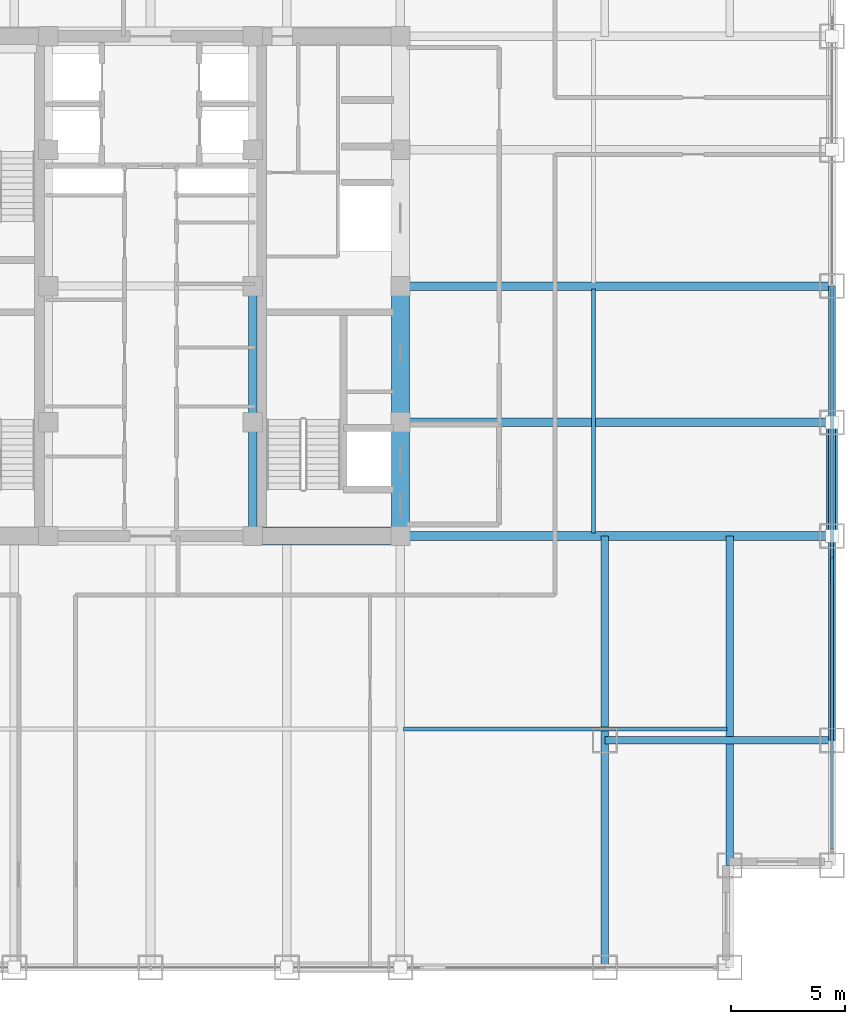
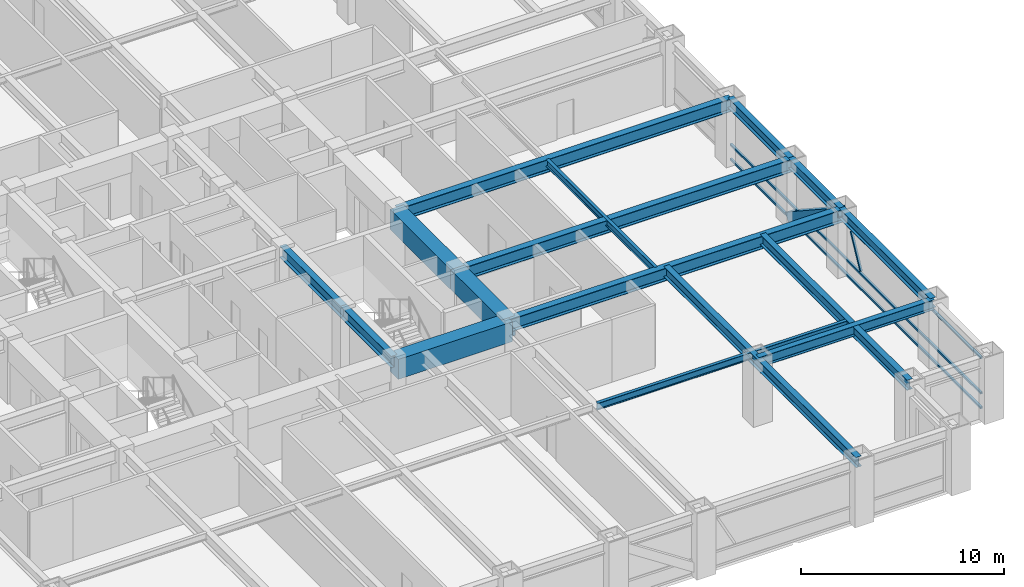
# One storey, part 9 of 24: 16 beams, 5 members, 1 element without a shape of its own.
"""IFC4 building model written with IfcOpenShell, lengths in metres."""

import ifcopenshell
import ifcopenshell.guid

model = None  # the IFC model being written
_history = None  # IfcOwnerHistory: only IFC2X3 demands one
_inside = {}  # id of a spatial element -> (the spatial element, [elements in it])
_under = {}  # id of a project, library or spatial element -> (it, [spatial elements below it])
_declared = {}  # id of a project -> (the project, [libraries it declares])
_typed = {}  # id of a type object -> (the type object, [elements of that type])
_made_of = {}  # id of a material, layer set ... -> (it, [elements and type objects made of it])


def new_model(schema):
    """Start an empty IFC model of exactly this schema.

    Asked for "IFC4X3", IfcOpenShell would pick the latest addendum, in which some entities
    have other attributes; the version numbers below select the first issue.
    IFC2X3 requires an IfcOwnerHistory on every rooted entity: one is made here for all.
    """
    global model, _history
    if schema == "IFC4X3":
        model = ifcopenshell.file(schema_version=(4, 3, 0, 0))
    else:
        model = ifcopenshell.file(schema=schema)
    _inside.clear()
    _under.clear()
    _declared.clear()
    _typed.clear()
    _made_of.clear()
    _history = None
    if model.schema == "IFC2X3":
        org = make("IfcOrganization", Name="unknown")
        user = make(
            "IfcPersonAndOrganization",
            ThePerson=make("IfcPerson", FamilyName="unknown"),
            TheOrganization=org,
        )
        app = make(
            "IfcApplication",
            ApplicationDeveloper=org,
            Version="unknown",
            ApplicationFullName="unknown",
            ApplicationIdentifier="unknown",
        )
        _history = make(
            "IfcOwnerHistory",
            OwningUser=user,
            OwningApplication=app,
            ChangeAction="ADDED",
            CreationDate=0,
        )
    return model


def make(cls, **values):
    """One entity of the class cls with the attributes given. An attribute that is None is left unset."""
    return model.create_entity(
        cls, **{name: value for name, value in values.items() if value is not None}
    )


def rooted(cls, **values):
    """An entity with a GlobalId (a new one), such as an element, a storey or a relation."""
    return make(cls, GlobalId=ifcopenshell.guid.new(), OwnerHistory=_history, **values)


def si_unit(unit_type, name, prefix=None):
    """IfcSIUnit, for example si_unit("LENGTHUNIT", "METRE", prefix="MILLI")."""
    return make("IfcSIUnit", UnitType=unit_type, Prefix=prefix, Name=name)


def assignment(units):
    """IfcUnitAssignment: the units of a project."""
    return None if units is None else make("IfcUnitAssignment", Units=units)


def point(xyz):
    """IfcCartesianPoint."""
    return None if xyz is None else make("IfcCartesianPoint", Coordinates=xyz)


def direction(xyz):
    """IfcDirection."""
    return None if xyz is None else make("IfcDirection", DirectionRatios=xyz)


def frame(location, z_axis=None, x_axis=None):
    """IfcAxis2Placement3D, a coordinate frame: its origin and axes. An axis left out is left unset."""
    return make(
        "IfcAxis2Placement3D",
        Location=point(location),
        Axis=direction(z_axis),
        RefDirection=direction(x_axis),
    )


def frame_2d(location, x_axis=None):
    """IfcAxis2Placement2D, a coordinate frame in the plane: its origin and x axis."""
    return make(
        "IfcAxis2Placement2D", Location=point(location), RefDirection=direction(x_axis)
    )


def origin():
    """The frame at (0, 0, 0) with its axes left unset."""
    return frame((0.0, 0.0, 0.0))


def origin_2d():
    """The frame at (0, 0) in the plane with its x axis left unset."""
    return frame_2d((0.0, 0.0))


def place(relative_to, where):
    """IfcLocalPlacement: puts the frame where relative to a parent placement (None: the world)."""
    return make(
        "IfcLocalPlacement", PlacementRelTo=relative_to, RelativePlacement=where
    )


def context(
    kind, dimensions, precision=None, world=None, true_north=None, identifier=None
):
    """IfcGeometricRepresentationContext, for example the 3D "Model" context."""
    return make(
        "IfcGeometricRepresentationContext",
        ContextIdentifier=identifier,
        ContextType=kind,
        CoordinateSpaceDimension=dimensions,
        Precision=precision,
        WorldCoordinateSystem=world,
        TrueNorth=true_north,
    )


def subcontext(parent, identifier, kind, view, scale=None):
    """IfcGeometricRepresentationSubContext, for example "Body" below "Model"."""
    return make(
        "IfcGeometricRepresentationSubContext",
        ContextIdentifier=identifier,
        ContextType=kind,
        ParentContext=parent,
        TargetScale=scale,
        TargetView=view,
    )


def project(units=None, contexts=None):
    """IfcProject with its units and contexts."""
    return rooted(
        "IfcProject",
        Name="project",
        RepresentationContexts=contexts,
        UnitsInContext=assignment(units),
    )


def spatial(cls, under=None, at=None, **own):
    """A site, building, storey or space (cls), placed at a placement, below another one or the project."""
    s = rooted(cls, ObjectPlacement=at, **own)
    if under is not None:
        _under.setdefault(under.id(), (under, []))[1].append(s)
    return s


def profile(cls, at=None, kind="AREA", **sizes):
    """A parametric profile (cls). Its sizes go by their IFC names, for example OverallWidth=200.0."""
    return make(cls, ProfileType=kind, Position=at, **sizes)


def rectangle(**sizes):
    """IfcRectangleProfileDef."""
    return profile("IfcRectangleProfileDef", **sizes)


def hollow_rectangle(**sizes):
    """IfcRectangleHollowProfileDef."""
    return profile("IfcRectangleHollowProfileDef", **sizes)


def i_section(**sizes):
    """IfcIShapeProfileDef."""
    return profile("IfcIShapeProfileDef", **sizes)


def extrude(swept, where, along, depth):
    """IfcExtrudedAreaSolid: the profile swept, set in the frame where, extruded along a direction by depth."""
    return make(
        "IfcExtrudedAreaSolid",
        SweptArea=swept,
        Position=where,
        ExtrudedDirection=direction(along),
        Depth=depth,
    )


def shape(context_of_items, identifier, shape_type, items):
    """IfcShapeRepresentation: the items that make up one representation, for example the "Body"."""
    return make(
        "IfcShapeRepresentation",
        ContextOfItems=context_of_items,
        RepresentationIdentifier=identifier,
        RepresentationType=shape_type,
        Items=items,
    )


def source(mapping_origin, context_of_items, identifier, shape_type, items):
    """IfcRepresentationMap: a shape defined once, which mapped items show again and again."""
    return make(
        "IfcRepresentationMap",
        MappingOrigin=mapping_origin,
        MappedRepresentation=shape(context_of_items, identifier, shape_type, items),
    )


def transform(
    local_origin,
    x_axis=None,
    y_axis=None,
    z_axis=None,
    scale=None,
    scale2=None,
    scale3=None,
    uniform=True,
):
    """IfcCartesianTransformationOperator3D, or its non-uniform kind. x_axis, y_axis, z_axis: its Axis1, 2, 3."""
    if uniform:
        return make(
            "IfcCartesianTransformationOperator3D",
            Axis1=direction(x_axis),
            Axis2=direction(y_axis),
            LocalOrigin=point(local_origin),
            Scale=scale,
            Axis3=direction(z_axis),
        )
    return make(
        "IfcCartesianTransformationOperator3DnonUniform",
        Axis1=direction(x_axis),
        Axis2=direction(y_axis),
        LocalOrigin=point(local_origin),
        Scale=scale,
        Axis3=direction(z_axis),
        Scale2=scale2,
        Scale3=scale3,
    )


def mapped(mapping_source, mapping_target):
    """IfcMappedItem: shows the shape of a source again, moved by a transform."""
    return make(
        "IfcMappedItem", MappingSource=mapping_source, MappingTarget=mapping_target
    )


def material(Name=None, Category=None):
    """IfcMaterial."""
    return make("IfcMaterial", Name=Name, Category=Category)


def material_profile(
    of_material, cross_section, Name=None, Category=None, Priority=None
):
    """IfcMaterialProfile: a cross section and its material."""
    return make(
        "IfcMaterialProfile",
        Name=Name,
        Material=of_material,
        Profile=cross_section,
        Priority=Priority,
        Category=Category,
    )


def profile_set(profiles, Name=None, composite=None):
    """IfcMaterialProfileSet."""
    return make(
        "IfcMaterialProfileSet",
        Name=Name,
        MaterialProfiles=profiles,
        CompositeProfile=composite,
    )


def made_of(thing, what):
    """Note that an element or type object is made of a material, layer set ...; save() writes the relation."""
    if what is not None:
        _made_of.setdefault(what.id(), (what, []))[1].append(thing)
    return thing


def type_object(cls, material=None, **own):
    """A type object (cls), such as IfcWallType, which elements share."""
    return made_of(rooted(cls, **own), material)


def element(
    cls,
    number,
    at=None,
    inside=None,
    cuts=None,
    type_object=None,
    material=None,
    context=None,
    identifier="Body",
    shape_type=None,
    held_by="IfcProductDefinitionShape",
    body=None,
    shapes=None,
    **own,
):
    """One element of the class cls, such as IfcWall. Its Tag is "e" and its number.

    at: its placement. inside: the storey or other place that contains it. cuts: it is an
    opening in that element (IfcRelVoidsElement). A single representation is given by context,
    identifier, shape_type and body (its items); several are given by shapes. held_by: the class
    of the entity that holds the representations. save() writes the other relations.
    """
    e = rooted(cls, Tag="e%d" % number, ObjectPlacement=at, **own)
    if body is not None:
        shapes = [shape(context, identifier, shape_type, body)]
    if shapes is not None:
        e.Representation = make(held_by, Representations=shapes)
    if inside is not None:
        _inside.setdefault(inside.id(), (inside, []))[1].append(e)
    if cuts is not None:
        rooted(
            "IfcRelVoidsElement", RelatingBuildingElement=cuts, RelatedOpeningElement=e
        )
    if type_object is not None:
        _typed.setdefault(type_object.id(), (type_object, []))[1].append(e)
    return made_of(e, material)


def aggregate(whole, parts):
    """IfcRelAggregates: a whole, such as a stair, and the parts it consists of."""
    return rooted("IfcRelAggregates", RelatingObject=whole, RelatedObjects=parts)


def save(model, path):
    """Write the relations noted so far, then the file.

    IfcRelAggregates (storeys below a building ...), IfcRelContainedInSpatialStructure (elements
    in a storey), IfcRelDefinesByType, IfcRelAssociatesMaterial and IfcRelDeclares: one each for
    every whole, place, type object, material and project.
    """
    for whole, parts in _under.values():
        aggregate(whole, parts)
    for where, things in _inside.values():
        rooted(
            "IfcRelContainedInSpatialStructure",
            RelatedElements=things,
            RelatingStructure=where,
        )
    for kind, things in _typed.values():
        rooted("IfcRelDefinesByType", RelatedObjects=things, RelatingType=kind)
    for what, things in _made_of.values():
        rooted("IfcRelAssociatesMaterial", RelatedObjects=things, RelatingMaterial=what)
    for by, libraries in _declared.values():
        rooted("IfcRelDeclares", RelatingContext=by, RelatedDefinitions=libraries)
    model.write(path)


model = new_model("IFC4")

# Units and contexts
model_context = context("Model", 3, precision=1e-05, world=origin(), true_north=direction((0.0, 1.0)))
body_context = subcontext(model_context, "Body", "Model", "MODEL_VIEW")
ifc_project = project(units=[si_unit("LENGTHUNIT", "METRE"), si_unit("AREAUNIT", "SQUARE_METRE"), si_unit("VOLUMEUNIT", "CUBIC_METRE"), si_unit("PLANEANGLEUNIT", "RADIAN"), si_unit("MASSUNIT", "GRAM", prefix="KILO")], contexts=[model_context])

# Site, building, storey
site_placement = place(None, origin())
site = spatial("IfcSite", under=ifc_project, at=site_placement, CompositionType="ELEMENT")
building_placement = place(site_placement, origin())
building = spatial("IfcBuilding", under=site, at=building_placement, Name="Khorayat Bourse Tower", CompositionType="ELEMENT")
storey_placement = place(building_placement, frame((0.0, 0.0, 159.10009765625)))
storey = spatial("IfcBuildingStorey", under=building, at=storey_placement, Name="L36", CompositionType="ELEMENT", Elevation=159.10009765625)

# Beams
ifc_material_1 = material(Name="Concrete C72/90", Category="concrete")
ifc_material_profile_1 = material_profile(ifc_material_1, rectangle(XDim=0.800048828125, YDim=1.199951171875, at=origin_2d()), Name="RC 800x1200")
ifc_profile_set_1 = profile_set([ifc_material_profile_1], Name="Concrete C72/90")
beam_type_1 = type_object("IfcBeamType", Name="BM-COUP-1200", PredefinedType="BEAM", material=ifc_profile_set_1)
shared_shape_1 = source(origin(), body_context, "Body", "SweptSolid", [
    extrude(rectangle(XDim=0.800048828125, YDim=1.199951171875, at=origin_2d()), origin(), (0.0, 0.0, 1.0), 5.0),
])
beam_1_placement = place(storey_placement, frame((11.0, -11.0, 3.179931640625), z_axis=(0.0, 1.0, 0.0), x_axis=(-1.0, 0.0, 0.0)))
element("IfcBeam", 1, at=beam_1_placement, inside=storey, type_object=beam_type_1, Name="L36 BM-COUP-1200 BM-L36-CRX-13", PredefinedType="BEAM", context=body_context, shape_type="MappedRepresentation", body=[
    mapped(shared_shape_1, transform((0.0, 0.0, 0.0), scale=1.0)),
])
shared_shape_2 = source(origin(), body_context, "Body", "SweptSolid", [
    extrude(rectangle(XDim=0.800048828125, YDim=1.199951171875, at=origin_2d()), origin(), (0.0, 0.0, 1.0), 6.0),
])
beam_2_placement = place(storey_placement, frame((11.0, -6.0, 3.179931640625), z_axis=(0.0, 1.0, 0.0), x_axis=(-1.0, 0.0, 0.0)))
element("IfcBeam", 2, at=beam_2_placement, inside=storey, type_object=beam_type_1, Name="L36 BM-COUP-1200 BM-L36-CRX-14", PredefinedType="BEAM", context=body_context, shape_type="MappedRepresentation", body=[
    mapped(shared_shape_2, transform((0.0, 0.0, 0.0), scale=1.0)),
])
ifc_material_2 = material(Name="Steel ASTM A992 Grade 50", Category="steel")
ifc_material_profile_2 = material_profile(ifc_material_2, i_section(OverallWidth=0.35498046875, OverallDepth=0.695068359375, WebThickness=0.015380859375, FlangeThickness=0.02490234375, FilletRadius=0.01806640625, at=origin_2d()), Name="W690X217")
ifc_profile_set_2 = profile_set([ifc_material_profile_2], Name="Steel ASTM A992 Grade 50")
beam_type_2 = type_object("IfcBeamType", Name="BM-GIRD-690", PredefinedType="BEAM", material=ifc_profile_set_2)
shared_shape_3 = source(origin(), body_context, "Body", "SweptSolid", [
    extrude(i_section(OverallWidth=0.35498046875, OverallDepth=0.695068359375, WebThickness=0.015380859375, FlangeThickness=0.02490234375, FilletRadius=0.01806640625, at=origin_2d()), origin(), (0.0, 0.0, 1.0), 5.0),
])
beam_3_placement = place(storey_placement, frame((4.5, -11.0, 3.432373046875), z_axis=(0.0, 1.0, 0.0), x_axis=(-1.0, 0.0, 0.0)))
element("IfcBeam", 3, at=beam_3_placement, inside=storey, type_object=beam_type_2, Name="L36 BM-GIRD-690 BM-L36-CRX-09", PredefinedType="BEAM", context=body_context, shape_type="MappedRepresentation", body=[
    mapped(shared_shape_3, transform((0.0, 0.0, 0.0), scale=1.0)),
])
shared_shape_4 = source(origin(), body_context, "Body", "SweptSolid", [
    extrude(i_section(OverallWidth=0.35498046875, OverallDepth=0.695068359375, WebThickness=0.015380859375, FlangeThickness=0.02490234375, FilletRadius=0.01806640625, at=origin_2d()), origin(), (0.0, 0.0, 1.0), 6.0),
])
beam_4_placement = place(storey_placement, frame((4.5, -6.0, 3.432373046875), z_axis=(0.0, 1.0, 0.0), x_axis=(-1.0, 0.0, 0.0)))
element("IfcBeam", 4, at=beam_4_placement, inside=storey, type_object=beam_type_2, Name="L36 BM-GIRD-690 BM-L36-CRX-10", PredefinedType="BEAM", context=body_context, shape_type="MappedRepresentation", body=[
    mapped(shared_shape_4, transform((0.0, 0.0, 0.0), scale=1.0)),
])
shared_shape_5 = source(origin(), body_context, "Body", "SweptSolid", [
    extrude(rectangle(XDim=0.800048828125, YDim=1.199951171875, at=origin_2d()), origin(), (0.0, 0.0, 1.0), 6.5),
])
beam_5_placement = place(storey_placement, frame((4.5, -11.0, 3.179931640625), z_axis=(1.0, 0.0, 0.0), x_axis=(0.0, 1.0, 0.0)))
element("IfcBeam", 5, at=beam_5_placement, inside=storey, type_object=beam_type_1, Name="L36 BM-COUP-1200 BM-L36-CRY-19", PredefinedType="BEAM", context=body_context, shape_type="MappedRepresentation", body=[
    mapped(shared_shape_5, transform((0.0, 0.0, 0.0), scale=1.0)),
])
ifc_material_profile_3 = material_profile(ifc_material_2, i_section(OverallWidth=0.381103515625, OverallDepth=0.77294921875, WebThickness=0.0166015625, FlangeThickness=0.027587890625, FilletRadius=0.01806640625, at=origin_2d()), Name="W760X257")
ifc_profile_set_3 = profile_set([ifc_material_profile_3], Name="Steel ASTM A992 Grade 50")
beam_type_3 = type_object("IfcBeamType", Name="BM-GIRD-760", PredefinedType="BEAM", material=ifc_profile_set_3)
shared_shape_6 = source(origin(), body_context, "Body", "SweptSolid", [
    extrude(i_section(OverallWidth=0.381103515625, OverallDepth=0.77294921875, WebThickness=0.0166015625, FlangeThickness=0.027587890625, FilletRadius=0.01806640625, at=origin_2d()), origin(), (0.0, 0.0, 1.0), 19.0),
])
for number, where, z_axis, x_axis, name in (
    (6, (11.0, -11.0, 3.393310546875), (1.0, 0.0, 0.0), (0.0, 1.0, 0.0), "L36 BM-GIRD-760 BM-L36-RADX-074"),
    (7, (11.0, -6.0, 3.393310546875), (1.0, 0.0, 0.0), (0.0, 1.0, 0.0), "L36 BM-GIRD-760 BM-L36-RADX-076"),
    (8, (11.0, 0.0, 3.393310546875), (1.0, 0.0, 0.0), (0.0, 1.0, 0.0), "L36 BM-GIRD-760 BM-L36-RADX-078"),
):
    element("IfcBeam", number, at=place(storey_placement, frame(where, z_axis=z_axis, x_axis=x_axis)), inside=storey, type_object=beam_type_3, Name=name, PredefinedType="BEAM", context=body_context, shape_type="MappedRepresentation", body=[
        mapped(shared_shape_6, transform((0.0, 0.0, 0.0), scale=1.0)),
    ])
ifc_material_profile_4 = material_profile(ifc_material_2, i_section(OverallWidth=0.324951171875, OverallDepth=0.615966796875, WebThickness=0.013916015625, FlangeThickness=0.021484375, FilletRadius=0.01611328125, at=origin_2d()), Name="W610X174")
ifc_profile_set_4 = profile_set([ifc_material_profile_4], Name="Steel ASTM A992 Grade 50")
beam_type_4 = type_object("IfcBeamType", Name="BM-GIRD-610", PredefinedType="BEAM", material=ifc_profile_set_4)
shared_shape_7 = source(origin(), body_context, "Body", "SweptSolid", [
    extrude(i_section(OverallWidth=0.324951171875, OverallDepth=0.615966796875, WebThickness=0.013916015625, FlangeThickness=0.021484375, FilletRadius=0.01611328125, at=origin_2d()), origin(), (0.0, 0.0, 1.0), 19.0),
])
beam_6_placement = place(storey_placement, frame((20.0, -30.0, 3.471923828125), z_axis=(0.0, 1.0, 0.0), x_axis=(-1.0, 0.0, 0.0)))
element("IfcBeam", 9, at=beam_6_placement, inside=storey, type_object=beam_type_4, Name="L36 BM-GIRD-610 BM-L36-CNRY-086", PredefinedType="BEAM", context=body_context, shape_type="MappedRepresentation", body=[
    mapped(shared_shape_7, transform((0.0, 0.0, 0.0), scale=1.0)),
])
shared_shape_8 = source(origin(), body_context, "Body", "SweptSolid", [
    extrude(i_section(OverallWidth=0.324951171875, OverallDepth=0.615966796875, WebThickness=0.013916015625, FlangeThickness=0.021484375, FilletRadius=0.01611328125, at=origin_2d()), origin(), (0.0, 0.0, 1.0), 14.5),
])
beam_7_placement = place(storey_placement, frame((25.5, -25.5, 3.471923828125), z_axis=(0.0, 1.0, 0.0), x_axis=(-1.0, 0.0, 0.0)))
element("IfcBeam", 10, at=beam_7_placement, inside=storey, type_object=beam_type_4, Name="L36 BM-GIRD-610 BM-L36-CNRY-090", PredefinedType="BEAM", context=body_context, shape_type="MappedRepresentation", body=[
    mapped(shared_shape_8, transform((0.0, 0.0, 0.0), scale=1.0)),
])
shared_shape_9 = source(origin(), body_context, "Body", "SweptSolid", [
    extrude(i_section(OverallWidth=0.324951171875, OverallDepth=0.615966796875, WebThickness=0.013916015625, FlangeThickness=0.021484375, FilletRadius=0.01611328125, at=origin_2d()), origin(), (0.0, 0.0, 1.0), 10.0),
])
beam_8_placement = place(storey_placement, frame((20.0, -20.0, 3.471923828125), z_axis=(1.0, 0.0, 0.0), x_axis=(0.0, 1.0, 0.0)))
element("IfcBeam", 11, at=beam_8_placement, inside=storey, type_object=beam_type_4, Name="L36 BM-GIRD-610 BM-L36-CNRX-092", PredefinedType="BEAM", context=body_context, shape_type="MappedRepresentation", body=[
    mapped(shared_shape_9, transform((0.0, 0.0, 0.0), scale=1.0)),
])
ifc_material_profile_5 = material_profile(ifc_material_2, i_section(OverallWidth=0.180908203125, OverallDepth=0.4169921875, WebThickness=0.010986328125, FlangeThickness=0.018310546875, FilletRadius=0.011962890625, at=origin_2d()), Name="W410X85")
ifc_profile_set_5 = profile_set([ifc_material_profile_5], Name="Steel ASTM A992 Grade 50")
beam_type_5 = type_object("IfcBeamType", Name="BM-JOIST-410", PredefinedType="JOIST", material=ifc_profile_set_5)
shared_shape_10 = source(origin(), body_context, "Body", "SweptSolid", [
    extrude(i_section(OverallWidth=0.180908203125, OverallDepth=0.4169921875, WebThickness=0.010986328125, FlangeThickness=0.018310546875, FilletRadius=0.011962890625, at=origin_2d()), origin(), (0.0, 0.0, 1.0), 14.240234375),
])
beam_9_placement = place(storey_placement, frame((11.1298828125, -19.5, 3.5712890625), z_axis=(1.0, 0.0, 0.0), x_axis=(0.0, 1.0, 0.0)))
element("IfcBeam", 12, at=beam_9_placement, inside=storey, type_object=beam_type_5, Name="L36 BM-JOIST-410 BM-L36-JSTX-098", PredefinedType="JOIST", context=body_context, shape_type="MappedRepresentation", body=[
    mapped(shared_shape_10, transform((0.0, 0.0, 0.0), scale=1.0)),
])
shared_shape_11 = source(origin(), body_context, "Body", "SweptSolid", [
    extrude(i_section(OverallWidth=0.180908203125, OverallDepth=0.4169921875, WebThickness=0.010986328125, FlangeThickness=0.018310546875, FilletRadius=0.011962890625, at=origin_2d()), origin(), (0.0, 0.0, 1.0), 10.740234375),
])
beam_10_placement = place(storey_placement, frame((19.5, -10.8701171875, 3.5712890625), z_axis=(0.0, 1.0, 0.0), x_axis=(-1.0, 0.0, 0.0)))
element("IfcBeam", 13, at=beam_10_placement, inside=storey, type_object=beam_type_5, Name="L36 BM-JOIST-410 BM-L36-JSTY-104", PredefinedType="JOIST", context=body_context, shape_type="MappedRepresentation", body=[
    mapped(shared_shape_11, transform((0.0, 0.0, 0.0), scale=1.0)),
])
ifc_material_profile_6 = material_profile(ifc_material_2, i_section(OverallWidth=0.324951171875, OverallDepth=0.615966796875, WebThickness=0.013916015625, FlangeThickness=0.021484375, FilletRadius=0.01611328125, at=origin_2d()), Name="W610X174")
ifc_profile_set_6 = profile_set([ifc_material_profile_6], Name="Steel ASTM A992 Grade 50")
beam_type_6 = type_object("IfcBeamType", Name="BM-SPAN-610", PredefinedType="SPANDREL", material=ifc_profile_set_6)
shared_shape_12 = source(origin(), body_context, "Body", "SweptSolid", [
    extrude(i_section(OverallWidth=0.324951171875, OverallDepth=0.615966796875, WebThickness=0.013916015625, FlangeThickness=0.021484375, FilletRadius=0.01611328125, at=origin_2d()), origin(), (0.0, 0.0, 1.0), 9.0),
])
beam_11_placement = place(storey_placement, frame((30.0, -20.0, 3.471923828125), z_axis=(0.0, 1.0, 0.0), x_axis=(-1.0, 0.0, 0.0)))
element("IfcBeam", 14, at=beam_11_placement, inside=storey, type_object=beam_type_6, Name="L36 BM-SPAN-610 BM-L36-SPN-035", PredefinedType="SPANDREL", context=body_context, shape_type="MappedRepresentation", body=[
    mapped(shared_shape_12, transform((0.0, 0.0, 0.0), scale=1.0)),
])
shared_shape_13 = source(origin(), body_context, "Body", "SweptSolid", [
    extrude(i_section(OverallWidth=0.324951171875, OverallDepth=0.615966796875, WebThickness=0.013916015625, FlangeThickness=0.021484375, FilletRadius=0.01611328125, at=origin_2d()), origin(), (0.0, 0.0, 1.0), 5.0),
])
beam_12_placement = place(storey_placement, frame((30.0, -11.0, 3.471923828125), z_axis=(0.0, 1.0, 0.0), x_axis=(-1.0, 0.0, 0.0)))
element("IfcBeam", 15, at=beam_12_placement, inside=storey, type_object=beam_type_6, Name="L36 BM-SPAN-610 BM-L36-SPN-036", PredefinedType="SPANDREL", context=body_context, shape_type="MappedRepresentation", body=[
    mapped(shared_shape_13, transform((0.0, 0.0, 0.0), scale=1.0)),
])
shared_shape_14 = source(origin(), body_context, "Body", "SweptSolid", [
    extrude(i_section(OverallWidth=0.324951171875, OverallDepth=0.615966796875, WebThickness=0.013916015625, FlangeThickness=0.021484375, FilletRadius=0.01611328125, at=origin_2d()), origin(), (0.0, 0.0, 1.0), 6.0),
])
beam_13_placement = place(storey_placement, frame((30.0, -6.0, 3.471923828125), z_axis=(0.0, 1.0, 0.0), x_axis=(-1.0, 0.0, 0.0)))
element("IfcBeam", 16, at=beam_13_placement, inside=storey, type_object=beam_type_6, Name="L36 BM-SPAN-610 BM-L36-SPN-037", PredefinedType="SPANDREL", context=body_context, shape_type="MappedRepresentation", body=[
    mapped(shared_shape_14, transform((0.0, 0.0, 0.0), scale=1.0)),
])

# Member
ifc_material_3 = material(Name="Steel EN 10025-4 S460M", Category="steel")
ifc_material_profile_7 = material_profile(ifc_material_3, hollow_rectangle(XDim=0.5, YDim=0.5, WallThickness=0.028076171875, at=origin_2d()), Name="HSS 500x500x28")
ifc_profile_set_7 = profile_set([ifc_material_profile_7], Name="Steel EN 10025-4 S460M")
member_type_1 = type_object("IfcMemberType", Name="MBR-TUBE-500", PredefinedType="BRACE", material=ifc_profile_set_7)
shared_shape_15 = source(origin(), body_context, "Body", "SweptSolid", [
    extrude(hollow_rectangle(XDim=0.5, YDim=0.5, WallThickness=0.028076171875, at=origin_2d()), origin(), (0.0, 0.0, 1.0), 5.979736328125),
])
member_1_placement = place(storey_placement, frame((30.0, -11.0, 3.52978515625), z_axis=(0.0, 0.836160261256, -0.548485202623), x_axis=(-1.0, 0.0, 0.0)))
element("IfcMember", 17, at=member_1_placement, inside=storey, type_object=member_type_1, Name="L36 Perimeter Tube Brace 07", PredefinedType="BRACE", context=body_context, shape_type="MappedRepresentation", body=[
    mapped(shared_shape_15, transform((0.0, 0.0, 0.0), scale=1.0)),
])

# Curtain wall, members
ifc_material_4 = material(Name="Aluminium EN AW-6063 T6", Category="aluminium")
curtain_wall_type = type_object("IfcCurtainWallType", Name="CW-SYS-03", PredefinedType="NOTDEFINED", material=ifc_material_4)
curtain_wall_placement = place(storey_placement, origin())
curtain_wall = element("IfcCurtainWall", 18, at=curtain_wall_placement, inside=storey, type_object=curtain_wall_type, Name="L36 Curtain Wall CW-L36-E1", PredefinedType="NOTDEFINED")
ifc_material_profile_8 = material_profile(ifc_material_4, hollow_rectangle(XDim=0.1201171875, YDim=0.1201171875, WallThickness=0.0048828125, at=origin_2d()), Name="ALU 120x120x5")
ifc_profile_set_8 = profile_set([ifc_material_profile_8], Name="Aluminium EN AW-6063 T6")
member_type_2 = type_object("IfcMemberType", Name="CWM-DIAG-120", PredefinedType="MULLION", material=ifc_profile_set_8)
shared_shape_16 = source(origin(), body_context, "Body", "SweptSolid", [
    extrude(hollow_rectangle(XDim=0.1201171875, YDim=0.1201171875, WallThickness=0.0048828125, at=origin_2d()), origin(), (0.0, 0.0, 1.0), 2.079345703125),
])
member_2_placement = place(storey_placement, frame((30.0, -12.904296875, 1.08984375), z_axis=(0.0, 0.465760949701, 0.884910581773), x_axis=(-1.0, 0.0, 0.0)))
member_2 = element("IfcMember", 19, at=member_2_placement, type_object=member_type_2, Name="CW-L36-E1 Faceted Diagonal Mullion 1", PredefinedType="MULLION", context=body_context, shape_type="MappedRepresentation", body=[
    mapped(shared_shape_16, transform((0.0, 0.0, 0.0), scale=1.0)),
])
ifc_material_profile_9 = material_profile(ifc_material_4, hollow_rectangle(XDim=0.1201171875, YDim=0.1201171875, WallThickness=0.0048828125, at=origin_2d()), Name="ALU 120x120x5")
ifc_profile_set_9 = profile_set([ifc_material_profile_9], Name="Aluminium EN AW-6063 T6")
member_type_3 = type_object("IfcMemberType", Name="CWT-HORZ-120", PredefinedType="USERDEFINED", material=ifc_profile_set_9)
shared_shape_17 = source(origin(), body_context, "Body", "SweptSolid", [
    extrude(hollow_rectangle(XDim=0.1201171875, YDim=0.1201171875, WallThickness=0.0048828125, at=origin_2d()), origin(), (0.0, 0.0, 1.0), 24.719970703125),
])
member_3_placement = place(storey_placement, frame((30.0, -24.780029296875, 0.059814453125), z_axis=(0.0, 1.0, 0.0), x_axis=(-1.0, 0.0, 0.0)))
member_3 = element("IfcMember", 20, at=member_3_placement, type_object=member_type_3, Name="CW-L36-E1 Horizontal Transom 1-1", ObjectType="TRANSOM", PredefinedType="USERDEFINED", context=body_context, shape_type="MappedRepresentation", body=[
    mapped(shared_shape_17, transform((0.0, 0.0, 0.0), scale=1.0)),
])
member_4_placement = place(storey_placement, frame((30.0, -24.780029296875, 0.949951171875), z_axis=(0.0, 1.0, 0.0), x_axis=(-1.0, 0.0, 0.0)))
member_4 = element("IfcMember", 21, at=member_4_placement, type_object=member_type_3, Name="CW-L36-E1 Horizontal Transom 1-2", ObjectType="TRANSOM", PredefinedType="USERDEFINED", context=body_context, shape_type="MappedRepresentation", body=[
    mapped(shared_shape_17, transform((0.0, 0.0, 0.0), scale=1.0)),
])
member_5_placement = place(storey_placement, frame((30.0, -24.780029296875, 3.06982421875), z_axis=(0.0, 1.0, 0.0), x_axis=(-1.0, 0.0, 0.0)))
member_5 = element("IfcMember", 22, at=member_5_placement, type_object=member_type_3, Name="CW-L36-E1 Horizontal Transom 1-3", ObjectType="TRANSOM", PredefinedType="USERDEFINED", context=body_context, shape_type="MappedRepresentation", body=[
    mapped(shared_shape_17, transform((0.0, 0.0, 0.0), scale=1.0)),
])
aggregate(curtain_wall, [member_3, member_4, member_5, member_2])

save(model, "model.ifc")
